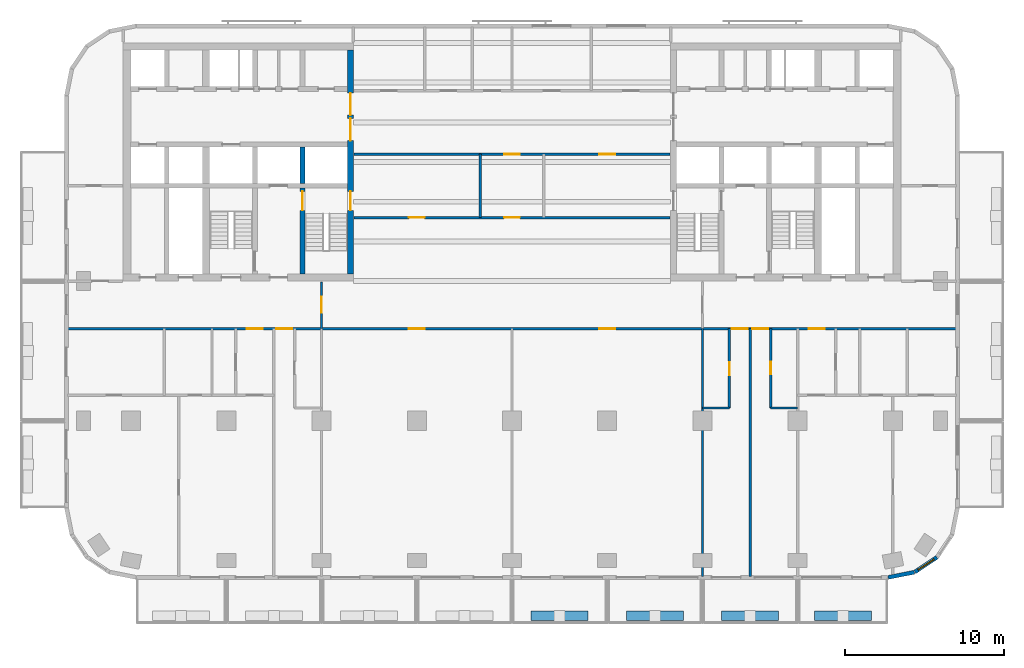
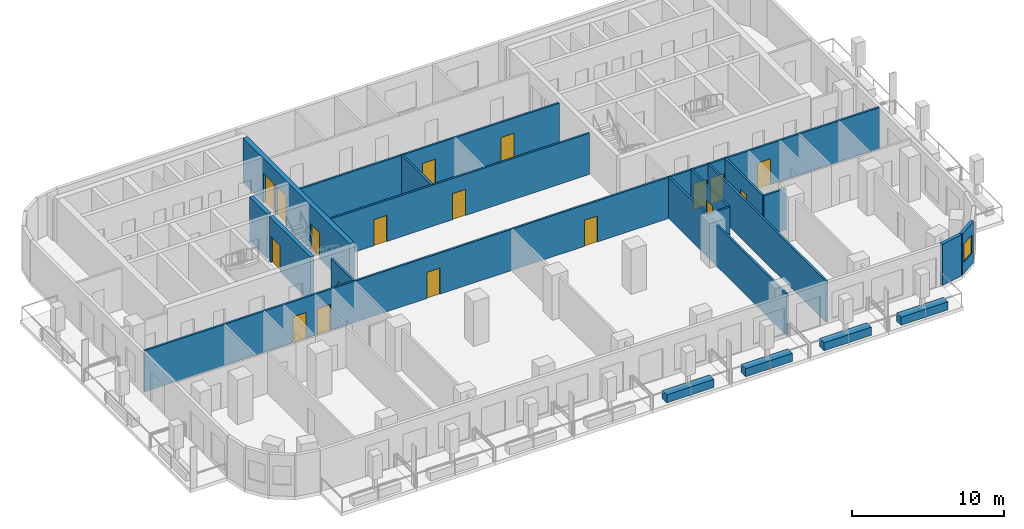
# One storey, part 4 of 11: 20 walls, 18 doors, 1 window, 19 openings.
"""IFC4 building model written with IfcOpenShell, lengths in metres."""

from ifc_helpers import new_model, si_unit, direction, frame, frame_2d, origin, place, context, subcontext, project, spatial, rectangle, extrude, material, layer, layer_set, type_object, element, fill, save


model = new_model("IFC4")

# Units and contexts
model_context = context("Model", 3, precision=1e-05, world=origin(), true_north=direction((0.0, 1.0)))
body_context = subcontext(model_context, "Body", "Model", "MODEL_VIEW")
ifc_project = project(units=[si_unit("LENGTHUNIT", "METRE"), si_unit("AREAUNIT", "SQUARE_METRE"), si_unit("VOLUMEUNIT", "CUBIC_METRE"), si_unit("PLANEANGLEUNIT", "RADIAN"), si_unit("MASSUNIT", "GRAM", prefix="KILO")], contexts=[model_context])

# Site, building, storey
site_placement = place(None, origin())
site = spatial("IfcSite", under=ifc_project, at=site_placement, CompositionType="ELEMENT")
building_placement = place(site_placement, origin())
building = spatial("IfcBuilding", under=site, at=building_placement, Name="Torana Hotel and Residences", CompositionType="ELEMENT")
storey_placement = place(building_placement, frame((0.0, 0.0, 127.199951171875)))
storey = spatial("IfcBuildingStorey", under=building, at=storey_placement, Name="L32", CompositionType="ELEMENT", Elevation=127.199951171875)

# Wall
ifc_material_1 = material(Name="Concrete C70/85", Category="concrete")
ifc_layer_1 = layer(ifc_material_1, 0.300048828125)
ifc_layer_set_1 = layer_set([ifc_layer_1], Name="CORE WALL 300 C70/85")
wall_type_1 = type_object("IfcWallType", Name="CORE WALL 300 C70/85", PredefinedType="SHEAR", material=ifc_layer_set_1)
wall_1_placement = place(storey_placement, frame((-13.199951171875, -8.85009765625, 0.0), z_axis=(0.0, 0.0, 1.0), x_axis=(0.0, 1.0, 0.0)))
element("IfcWall", 1, at=wall_1_placement, inside=storey, type_object=wall_type_1, Name="Core wall W x3.05-S", PredefinedType="SHEAR", context=body_context, shape_type="SweptSolid", body=[
    extrude(rectangle(XDim=2.300048828125, YDim=0.300048828125, at=frame_2d((1.14990234375, 0.0))), origin(), (0.0, 0.0, 1.0), 3.60009765625),
])

# Wall, opening, door
wall_2_placement = place(storey_placement, frame((-13.199951171875, -14.550048828125, 0.0), z_axis=(0.0, 0.0, 1.0), x_axis=(0.0, 1.0, 0.0)))
wall_2 = element("IfcWall", 2, at=wall_2_placement, inside=storey, type_object=wall_type_1, Name="Core wall W x3.05-band", PredefinedType="SHEAR", context=body_context, shape_type="SweptSolid", body=[
    extrude(rectangle(XDim=5.400146484375, YDim=0.300048828125, at=frame_2d((2.7001953125, 0.0))), origin(), (0.0, 0.0, 1.0), 3.60009765625),
])
opening_1_placement = place(wall_2_placement, frame((4.0, 0.0, 0.0)))
opening_1 = element("IfcOpeningElement", 3, at=opening_1_placement, cuts=wall_2, Name="Opening L32-14", PredefinedType="OPENING", context=body_context, shape_type="SweptSolid", body=[
    extrude(rectangle(XDim=1.199951171875, YDim=2.10009765625, at=frame_2d((0.60009765625, 1.050048828125))), frame((0.0, 0.159912109375, 0.0), z_axis=(0.0, -1.0, 0.0), x_axis=(1.0, 0.0, 0.0)), (0.0, 0.0, 1.0), 0.320068359375),
])
ifc_material_2 = material(Name="Steel S235", Category="steel")
door_type_1 = type_object("IfcDoorType", Name="STAIR FIRE DOOR D3 1200x2100", OperationType="SINGLE_SWING_LEFT", PredefinedType="DOOR", material=ifc_material_2)
door_1_placement = place(opening_1_placement, frame((0.60009765625, 0.0, 0.0), z_axis=(0.0, 0.0, 1.0), x_axis=(-1.0, 0.0, 0.0)))
door_1 = element("IfcDoor", 4, at=door_1_placement, inside=storey, type_object=door_type_1, Name="Stair-A-lobby door L32", OperationType="SINGLE_SWING_RIGHT", OverallHeight=2.10009765625, OverallWidth=1.199951171875, PredefinedType="DOOR", context=body_context, shape_type="SweptSolid", body=[
    extrude(rectangle(XDim=1.199951171875, YDim=2.10009765625, at=frame_2d((0.0, 1.050048828125))), frame((0.0, -0.02490234375, 0.0), z_axis=(0.0, 1.0, 0.0), x_axis=(-1.0, 0.0, 0.0)), (0.0, 0.0, 1.0), 0.050048828125),
])
fill(opening_1, door_1)

# Wall, openings, doors
ifc_material_3 = material(Name="Concrete C70/85", Category="concrete")
ifc_layer_2 = layer(ifc_material_3, 0.35009765625)
ifc_layer_set_2 = layer_set([ifc_layer_2], Name="CORE WALL 350 C70/85")
wall_type_2 = type_object("IfcWallType", Name="CORE WALL 350 C70/85", PredefinedType="SHEAR", material=ifc_layer_set_2)
wall_3_placement = place(storey_placement, frame((-10.175048828125, -14.550048828125, 0.0), z_axis=(0.0, 0.0, 1.0), x_axis=(0.0, 1.0, 0.0)))
wall_3 = element("IfcWall", 5, at=wall_3_placement, inside=storey, type_object=wall_type_2, Name="Core wall W arch", PredefinedType="SHEAR", context=body_context, shape_type="SweptSolid", body=[
    extrude(rectangle(XDim=14.10009765625, YDim=0.35009765625, at=frame_2d((7.050048828125, 0.0))), origin(), (0.0, 0.0, 1.0), 3.60009765625),
])
opening_2_placement = place(wall_3_placement, frame((8.39990234375, 0.0, 0.0)))
opening_2 = element("IfcOpeningElement", 6, at=opening_2_placement, cuts=wall_3, Name="Opening L32-01", PredefinedType="OPENING", context=body_context, shape_type="SweptSolid", body=[
    extrude(rectangle(XDim=1.39990234375, YDim=2.39990234375, at=frame_2d((0.699951171875, 1.199951171875))), frame((0.0, 0.18505859375, 0.0), z_axis=(0.0, -1.0, 0.0), x_axis=(1.0, 0.0, 0.0)), (0.0, 0.0, 1.0), 0.3701171875),
])
opening_3_placement = place(wall_3_placement, frame((10.0, 0.0, 0.0)))
opening_3 = element("IfcOpeningElement", 7, at=opening_3_placement, cuts=wall_3, Name="Opening L32-02", PredefinedType="OPENING", context=body_context, shape_type="SweptSolid", body=[
    extrude(rectangle(XDim=1.39990234375, YDim=2.39990234375, at=frame_2d((0.699951171875, 1.199951171875))), frame((0.0, 0.18505859375, 0.0), z_axis=(0.0, -1.0, 0.0), x_axis=(1.0, 0.0, 0.0)), (0.0, 0.0, 1.0), 0.3701171875),
])
opening_4_placement = place(wall_3_placement, frame((4.0, 0.0, 0.0)))
opening_4 = element("IfcOpeningElement", 8, at=opening_4_placement, cuts=wall_3, Name="Opening L32-03", PredefinedType="OPENING", context=body_context, shape_type="SweptSolid", body=[
    extrude(rectangle(XDim=1.199951171875, YDim=2.10009765625, at=frame_2d((0.60009765625, 1.050048828125))), frame((0.0, 0.18505859375, 0.0), z_axis=(0.0, -1.0, 0.0), x_axis=(1.0, 0.0, 0.0)), (0.0, 0.0, 1.0), 0.3701171875),
])
ifc_material_4 = material(Name="Steel S235", Category="steel")
door_type_2 = type_object("IfcDoorType", Name="LOBBY FIRE DOOR D4 1400x2400", OperationType="DOUBLE_DOOR_SINGLE_SWING", PredefinedType="DOOR", material=ifc_material_4)
door_2_placement = place(opening_2_placement, origin())
door_2 = element("IfcDoor", 9, at=door_2_placement, inside=storey, type_object=door_type_2, Name="Lobby-1 door L32", OperationType="DOUBLE_DOOR_SINGLE_SWING", OverallHeight=2.39990234375, OverallWidth=1.39990234375, PredefinedType="DOOR", context=body_context, shape_type="SweptSolid", body=[
    extrude(rectangle(XDim=1.39990234375, YDim=2.39990234375, at=frame_2d((0.699951171875, 1.199951171875))), frame((0.0, 0.02490234375, 0.0), z_axis=(0.0, -1.0, 0.0), x_axis=(1.0, 0.0, 0.0)), (0.0, 0.0, 1.0), 0.050048828125),
])
fill(opening_2, door_2)
door_3_placement = place(opening_3_placement, origin())
door_3 = element("IfcDoor", 10, at=door_3_placement, inside=storey, type_object=door_type_2, Name="Lobby-2 door L32", OperationType="DOUBLE_DOOR_SINGLE_SWING", OverallHeight=2.39990234375, OverallWidth=1.39990234375, PredefinedType="DOOR", context=body_context, shape_type="SweptSolid", body=[
    extrude(rectangle(XDim=1.39990234375, YDim=2.39990234375, at=frame_2d((0.699951171875, 1.199951171875))), frame((0.0, 0.02490234375, 0.0), z_axis=(0.0, -1.0, 0.0), x_axis=(1.0, 0.0, 0.0)), (0.0, 0.0, 1.0), 0.050048828125),
])
fill(opening_3, door_3)
door_4_placement = place(opening_4_placement, origin())
door_4 = element("IfcDoor", 11, at=door_4_placement, inside=storey, type_object=door_type_1, Name="Stair-A door L32", OperationType="SINGLE_SWING_LEFT", OverallHeight=2.10009765625, OverallWidth=1.199951171875, PredefinedType="DOOR", context=body_context, shape_type="SweptSolid", body=[
    extrude(rectangle(XDim=1.199951171875, YDim=2.10009765625, at=frame_2d((0.60009765625, 1.050048828125))), frame((0.0, 0.02490234375, 0.0), z_axis=(0.0, -1.0, 0.0), x_axis=(1.0, 0.0, 0.0)), (0.0, 0.0, 1.0), 0.050048828125),
])
fill(opening_4, door_4)

# Wall
ifc_material_5 = material(Name="Black aluminium composite panel", Category="aluminium")
ifc_layer_3 = layer(ifc_material_5, 0.00390625, Name="Cladding", Category="cladding")
ifc_material_6 = material(Name="Ventilated air cavity")
ifc_layer_4 = layer(ifc_material_6, 0.0400390625, Name="Ventilated cavity", Category="cavity")
ifc_material_7 = material(Name="Mineral wool insulation")
ifc_layer_5 = layer(ifc_material_7, 0.090087890625, Name="Insulation", Category="insulation")
ifc_material_8 = material(Name="Steel S280GD", Category="steel")
ifc_layer_6 = layer(ifc_material_8, 0.092041015625, Name="Steel stud frame", Category="structure")
ifc_material_9 = material(Name="Fire rated plasterboard")
ifc_layer_7 = layer(ifc_material_9, 0.011962890625, Name="Inner board", Category="finish")
ifc_layer_8 = layer(ifc_material_9, 0.011962890625, Name="Second board", Category="finish")
ifc_layer_set_3 = layer_set([ifc_layer_3, ifc_layer_4, ifc_layer_5, ifc_layer_6, ifc_layer_7, ifc_layer_8], Name="EW1 EXTERNAL WALL BLACK METAL CLAD 250")
wall_type_3 = type_object("IfcWallType", Name="EW1 EXTERNAL WALL BLACK METAL CLAD 250", PredefinedType="SOLIDWALL", material=ifc_layer_set_3)
wall_4_placement = place(storey_placement, frame((23.69970703125, -33.672607421875, 0.0), z_axis=(0.0, 0.0, 1.0), x_axis=(0.980775640221, 0.19513878023, 0.0)))
element("IfcWall", 12, at=wall_4_placement, inside=storey, type_object=wall_type_3, Name="External wall L32 e0.15", PredefinedType="SOLIDWALL", context=body_context, shape_type="SweptSolid", body=[
    extrude(rectangle(XDim=1.681396484375, YDim=0.25, at=frame_2d((0.8408203125, 0.0))), origin(), (0.0, 0.0, 1.0), 3.320068359375),
])

# Wall, opening, window
wall_5_placement = place(storey_placement, frame((25.39404296875, -33.325927734375, 0.0), z_axis=(0.0, 0.0, 1.0), x_axis=(0.831482937015, 0.55555029066, 0.0)))
wall_5 = element("IfcWall", 13, at=wall_5_placement, inside=storey, type_object=wall_type_3, Name="External wall L32 e0.16", PredefinedType="SOLIDWALL", context=body_context, shape_type="SweptSolid", body=[
    extrude(rectangle(XDim=1.65625, YDim=0.25, at=frame_2d((0.828125, 0.0))), origin(), (0.0, 0.0, 1.0), 3.320068359375),
])
opening_5_placement = place(wall_5_placement, frame((0.228271484375, 0.0, 0.89990234375)))
opening_5 = element("IfcOpeningElement", 14, at=opening_5_placement, cuts=wall_5, Name="Opening W5", PredefinedType="OPENING", context=body_context, shape_type="SweptSolid", body=[
    extrude(rectangle(XDim=1.199951171875, YDim=1.5, at=frame_2d((0.60009765625, 0.75))), frame((0.0, 0.135009765625, 0.0), z_axis=(0.0, -1.0, 0.0), x_axis=(1.0, 0.0, 0.0)), (0.0, 0.0, 1.0), 0.27001953125),
])
ifc_material_10 = material(Name="Dark glass in black aluminium frame", Category="aluminium")
window_type = type_object("IfcWindowType", Name="W5 CORNER FACET WINDOW 1200x1500", PartitioningType="SINGLE_PANEL", PredefinedType="WINDOW", material=ifc_material_10)
window_placement = place(opening_5_placement, origin())
window = element("IfcWindow", 15, at=window_placement, inside=storey, type_object=window_type, Name="Window L32 e0.16", OverallHeight=1.5, OverallWidth=1.199951171875, PartitioningType="SINGLE_PANEL", PredefinedType="WINDOW", context=body_context, shape_type="SweptSolid", body=[
    extrude(rectangle(XDim=1.199951171875, YDim=1.5, at=frame_2d((0.60009765625, 0.75))), frame((0.0, 0.030029296875, 0.0), z_axis=(0.0, -1.0, 0.0), x_axis=(1.0, 0.0, 0.0)), (0.0, 0.0, 1.0), 0.06005859375),
])
fill(opening_5, window)

# Wall
ifc_material_11 = material(Name="Gypsum plaster")
ifc_layer_9 = layer(ifc_material_11, 0.014892578125, Name="Plaster", Category="finish")
ifc_material_12 = material(Name="Concrete blockwork", Category="masonry")
ifc_layer_10 = layer(ifc_material_12, 0.1201171875, Name="Blockwork", Category="structure")
ifc_layer_11 = layer(ifc_material_11, 0.014892578125, Name="Plaster", Category="finish")
ifc_layer_set_4 = layer_set([ifc_layer_9, ifc_layer_10, ifc_layer_11], Name="FIRE PARTITION 150 BLOCKWORK")
wall_type_4 = type_object("IfcWallType", Name="FIRE PARTITION 150 BLOCKWORK", PredefinedType="PARTITIONING", material=ifc_layer_set_4)
wall_6_placement = place(storey_placement, frame((-2.0, -11.0, 0.0), z_axis=(0.0, 0.0, 1.0), x_axis=(0.0, 1.0, 0.0)))
element("IfcWall", 16, at=wall_6_placement, inside=storey, type_object=wall_type_4, Name="Partition L32", PredefinedType="PARTITIONING", context=body_context, shape_type="SweptSolid", body=[
    extrude(rectangle(XDim=4.0, YDim=0.14990234375, at=frame_2d((2.0, 0.0))), origin(), (0.0, 0.0, 1.0), 3.320068359375),
])

# Wall, opening, door
wall_7_placement = place(storey_placement, frame((-12.0, -18.0, 0.0), z_axis=(0.0, 0.0, 1.0), x_axis=(0.0, 1.0, 0.0)))
wall_7 = element("IfcWall", 17, at=wall_7_placement, inside=storey, type_object=wall_type_4, Name="Partition L32", PredefinedType="PARTITIONING", context=body_context, shape_type="SweptSolid", body=[
    extrude(rectangle(XDim=2.949951171875, YDim=0.14990234375, at=frame_2d((1.47509765625, 0.0))), origin(), (0.0, 0.0, 1.0), 3.320068359375),
])
opening_6_placement = place(wall_7_placement, frame((1.0, 0.0, 0.0)))
opening_6 = element("IfcOpeningElement", 18, at=opening_6_placement, cuts=wall_7, Name="Opening L32-31", PredefinedType="OPENING", context=body_context, shape_type="SweptSolid", body=[
    extrude(rectangle(XDim=1.0, YDim=2.10009765625, at=frame_2d((0.5, 1.050048828125))), frame((0.0, 0.0849609375, 0.0), z_axis=(0.0, -1.0, 0.0), x_axis=(1.0, 0.0, 0.0)), (0.0, 0.0, 1.0), 0.169921875),
])
ifc_material_13 = material(Name="Steel S235", Category="steel")
door_type_3 = type_object("IfcDoorType", Name="ENTRY FIRE DOOR D6 1000x2100", OperationType="SINGLE_SWING_LEFT", PredefinedType="DOOR", material=ifc_material_13)
door_5_placement = place(opening_6_placement, origin())
door_5 = element("IfcDoor", 19, at=door_5_placement, inside=storey, type_object=door_type_3, Name="Door L32", OperationType="SINGLE_SWING_RIGHT", OverallHeight=2.10009765625, OverallWidth=1.0, PredefinedType="DOOR", context=body_context, shape_type="SweptSolid", body=[
    extrude(rectangle(XDim=1.0, YDim=2.10009765625, at=frame_2d((0.5, 1.050048828125))), frame((0.0, 0.02490234375, 0.0), z_axis=(0.0, -1.0, 0.0), x_axis=(1.0, 0.0, 0.0)), (0.0, 0.0, 1.0), 0.050048828125),
])
fill(opening_6, door_5)

# Wall, openings, doors
wall_8_placement = place(storey_placement, frame((-28.02001953125, -18.0, 0.0), z_axis=(0.0, 0.0, 1.0), x_axis=(1.0, 0.0, 0.0)))
wall_8 = element("IfcWall", 20, at=wall_8_placement, inside=storey, type_object=wall_type_4, Name="Partition L32", PredefinedType="PARTITIONING", context=body_context, shape_type="SweptSolid", body=[
    extrude(rectangle(XDim=56.0400390625, YDim=0.14990234375, at=frame_2d((28.02001953125, 0.0))), origin(), (0.0, 0.0, 1.0), 3.320068359375),
])
opening_7_placement = place(wall_8_placement, frame((13.169921875, 0.0, 0.0)))
opening_7 = element("IfcOpeningElement", 21, at=opening_7_placement, cuts=wall_8, Name="Opening L32-32", PredefinedType="OPENING", context=body_context, shape_type="SweptSolid", body=[
    extrude(rectangle(XDim=1.0, YDim=2.10009765625, at=frame_2d((0.5, 1.050048828125))), frame((0.0, 0.0849609375, 0.0), z_axis=(0.0, -1.0, 0.0), x_axis=(1.0, 0.0, 0.0)), (0.0, 0.0, 1.0), 0.169921875),
])
opening_8_placement = place(wall_8_placement, frame((11.320068359375, 0.0, 0.0)))
opening_8 = element("IfcOpeningElement", 22, at=opening_8_placement, cuts=wall_8, Name="Opening L32-33", PredefinedType="OPENING", context=body_context, shape_type="SweptSolid", body=[
    extrude(rectangle(XDim=1.0, YDim=2.10009765625, at=frame_2d((0.5, 1.050048828125))), frame((0.0, 0.0849609375, 0.0), z_axis=(0.0, -1.0, 0.0), x_axis=(1.0, 0.0, 0.0)), (0.0, 0.0, 1.0), 0.169921875),
])
opening_9_placement = place(wall_8_placement, frame((41.8701171875, 0.0, 0.0)))
opening_9 = element("IfcOpeningElement", 23, at=opening_9_placement, cuts=wall_8, Name="Opening L32-36", PredefinedType="OPENING", context=body_context, shape_type="SweptSolid", body=[
    extrude(rectangle(XDim=1.0, YDim=2.10009765625, at=frame_2d((0.5, 1.050048828125))), frame((0.0, 0.0849609375, 0.0), z_axis=(0.0, -1.0, 0.0), x_axis=(1.0, 0.0, 0.0)), (0.0, 0.0, 1.0), 0.169921875),
])
opening_10_placement = place(wall_8_placement, frame((43.169921875, 0.0, 0.0)))
opening_10 = element("IfcOpeningElement", 24, at=opening_10_placement, cuts=wall_8, Name="Opening L32-37", PredefinedType="OPENING", context=body_context, shape_type="SweptSolid", body=[
    extrude(rectangle(XDim=1.0, YDim=2.10009765625, at=frame_2d((0.5, 1.050048828125))), frame((0.0, 0.0849609375, 0.0), z_axis=(0.0, -1.0, 0.0), x_axis=(1.0, 0.0, 0.0)), (0.0, 0.0, 1.0), 0.169921875),
])
opening_11_placement = place(wall_8_placement, frame((46.719970703125, 0.0, 0.0)))
opening_11 = element("IfcOpeningElement", 25, at=opening_11_placement, cuts=wall_8, Name="Opening L32-38", PredefinedType="OPENING", context=body_context, shape_type="SweptSolid", body=[
    extrude(rectangle(XDim=1.0, YDim=2.10009765625, at=frame_2d((0.5, 1.050048828125))), frame((0.0, 0.0849609375, 0.0), z_axis=(0.0, -1.0, 0.0), x_axis=(1.0, 0.0, 0.0)), (0.0, 0.0, 1.0), 0.169921875),
])
opening_12_placement = place(wall_8_placement, frame((21.52001953125, 0.0, 0.0)))
opening_12 = element("IfcOpeningElement", 26, at=opening_12_placement, cuts=wall_8, Name="Opening L32-41", PredefinedType="OPENING", context=body_context, shape_type="SweptSolid", body=[
    extrude(rectangle(XDim=1.0, YDim=2.10009765625, at=frame_2d((0.5, 1.050048828125))), frame((0.0, 0.0849609375, 0.0), z_axis=(0.0, -1.0, 0.0), x_axis=(1.0, 0.0, 0.0)), (0.0, 0.0, 1.0), 0.169921875),
])
opening_13_placement = place(wall_8_placement, frame((33.52001953125, 0.0, 0.0)))
opening_13 = element("IfcOpeningElement", 27, at=opening_13_placement, cuts=wall_8, Name="Opening L32-42", PredefinedType="OPENING", context=body_context, shape_type="SweptSolid", body=[
    extrude(rectangle(XDim=1.0, YDim=2.10009765625, at=frame_2d((0.5, 1.050048828125))), frame((0.0, 0.0849609375, 0.0), z_axis=(0.0, -1.0, 0.0), x_axis=(1.0, 0.0, 0.0)), (0.0, 0.0, 1.0), 0.169921875),
])
door_6_placement = place(opening_7_placement, frame((0.5, 0.0, 0.0), z_axis=(0.0, 0.0, 1.0), x_axis=(-1.0, 0.0, 0.0)))
door_6 = element("IfcDoor", 28, at=door_6_placement, inside=storey, type_object=door_type_3, Name="Door L32", OperationType="SINGLE_SWING_LEFT", OverallHeight=2.10009765625, OverallWidth=1.0, PredefinedType="DOOR", context=body_context, shape_type="SweptSolid", body=[
    extrude(rectangle(XDim=1.0, YDim=2.10009765625, at=frame_2d((0.0, 1.050048828125))), frame((0.0, -0.02490234375, 0.0), z_axis=(0.0, 1.0, 0.0), x_axis=(-1.0, 0.0, 0.0)), (0.0, 0.0, 1.0), 0.050048828125),
])
fill(opening_7, door_6)
door_7_placement = place(opening_8_placement, origin())
door_7 = element("IfcDoor", 29, at=door_7_placement, inside=storey, type_object=door_type_3, Name="Door L32", OperationType="SINGLE_SWING_RIGHT", OverallHeight=2.10009765625, OverallWidth=1.0, PredefinedType="DOOR", context=body_context, shape_type="SweptSolid", body=[
    extrude(rectangle(XDim=1.0, YDim=2.10009765625, at=frame_2d((0.5, 1.050048828125))), frame((0.0, 0.02490234375, 0.0), z_axis=(0.0, -1.0, 0.0), x_axis=(1.0, 0.0, 0.0)), (0.0, 0.0, 1.0), 0.050048828125),
])
fill(opening_8, door_7)
door_8_placement = place(opening_9_placement, frame((0.5, 0.0, 0.0), z_axis=(0.0, 0.0, 1.0), x_axis=(-1.0, 0.0, 0.0)))
door_8 = element("IfcDoor", 30, at=door_8_placement, inside=storey, type_object=door_type_3, Name="Door L32", OperationType="SINGLE_SWING_LEFT", OverallHeight=2.10009765625, OverallWidth=1.0, PredefinedType="DOOR", context=body_context, shape_type="SweptSolid", body=[
    extrude(rectangle(XDim=1.0, YDim=2.10009765625, at=frame_2d((0.0, 1.050048828125))), frame((0.0, -0.02490234375, 0.0), z_axis=(0.0, 1.0, 0.0), x_axis=(-1.0, 0.0, 0.0)), (0.0, 0.0, 1.0), 0.050048828125),
])
fill(opening_9, door_8)
door_9_placement = place(opening_10_placement, frame((0.5, 0.0, 0.0), z_axis=(0.0, 0.0, 1.0), x_axis=(-1.0, 0.0, 0.0)))
door_9 = element("IfcDoor", 31, at=door_9_placement, inside=storey, type_object=door_type_3, Name="Door L32", OperationType="SINGLE_SWING_LEFT", OverallHeight=2.10009765625, OverallWidth=1.0, PredefinedType="DOOR", context=body_context, shape_type="SweptSolid", body=[
    extrude(rectangle(XDim=1.0, YDim=2.10009765625, at=frame_2d((0.0, 1.050048828125))), frame((0.0, -0.02490234375, 0.0), z_axis=(0.0, 1.0, 0.0), x_axis=(-1.0, 0.0, 0.0)), (0.0, 0.0, 1.0), 0.050048828125),
])
fill(opening_10, door_9)
door_10_placement = place(opening_11_placement, origin())
door_10 = element("IfcDoor", 32, at=door_10_placement, inside=storey, type_object=door_type_3, Name="Door L32", OperationType="SINGLE_SWING_RIGHT", OverallHeight=2.10009765625, OverallWidth=1.0, PredefinedType="DOOR", context=body_context, shape_type="SweptSolid", body=[
    extrude(rectangle(XDim=1.0, YDim=2.10009765625, at=frame_2d((0.5, 1.050048828125))), frame((0.0, 0.02490234375, 0.0), z_axis=(0.0, -1.0, 0.0), x_axis=(1.0, 0.0, 0.0)), (0.0, 0.0, 1.0), 0.050048828125),
])
fill(opening_11, door_10)
door_11_placement = place(opening_12_placement, frame((0.5, 0.0, 0.0), z_axis=(0.0, 0.0, 1.0), x_axis=(-1.0, 0.0, 0.0)))
door_11 = element("IfcDoor", 33, at=door_11_placement, inside=storey, type_object=door_type_3, Name="Door L32", OperationType="SINGLE_SWING_LEFT", OverallHeight=2.10009765625, OverallWidth=1.0, PredefinedType="DOOR", context=body_context, shape_type="SweptSolid", body=[
    extrude(rectangle(XDim=1.0, YDim=2.10009765625, at=frame_2d((0.0, 1.050048828125))), frame((0.0, -0.02490234375, 0.0), z_axis=(0.0, 1.0, 0.0), x_axis=(-1.0, 0.0, 0.0)), (0.0, 0.0, 1.0), 0.050048828125),
])
fill(opening_12, door_11)
door_12_placement = place(opening_13_placement, frame((0.5, 0.0, 0.0), z_axis=(0.0, 0.0, 1.0), x_axis=(-1.0, 0.0, 0.0)))
door_12 = element("IfcDoor", 34, at=door_12_placement, inside=storey, type_object=door_type_3, Name="Door L32", OperationType="SINGLE_SWING_LEFT", OverallHeight=2.10009765625, OverallWidth=1.0, PredefinedType="DOOR", context=body_context, shape_type="SweptSolid", body=[
    extrude(rectangle(XDim=1.0, YDim=2.10009765625, at=frame_2d((0.0, 1.050048828125))), frame((0.0, -0.02490234375, 0.0), z_axis=(0.0, 1.0, 0.0), x_axis=(-1.0, 0.0, 0.0)), (0.0, 0.0, 1.0), 0.050048828125),
])
fill(opening_13, door_12)

wall_9_placement = place(storey_placement, frame((-9.949951171875, -11.0, 0.0), z_axis=(0.0, 0.0, 1.0), x_axis=(1.0, 0.0, 0.0)))
wall_9 = element("IfcWall", 35, at=wall_9_placement, inside=storey, type_object=wall_type_4, Name="Partition L32", PredefinedType="PARTITIONING", context=body_context, shape_type="SweptSolid", body=[
    extrude(rectangle(XDim=19.89990234375, YDim=0.14990234375, at=frame_2d((9.949951171875, 0.0))), origin(), (0.0, 0.0, 1.0), 3.320068359375),
])
opening_14_placement = place(wall_9_placement, frame((9.449951171875, 0.0, 0.0)))
opening_14 = element("IfcOpeningElement", 36, at=opening_14_placement, cuts=wall_9, Name="Opening L32-40", PredefinedType="OPENING", context=body_context, shape_type="SweptSolid", body=[
    extrude(rectangle(XDim=1.0, YDim=2.10009765625, at=frame_2d((0.5, 1.050048828125))), frame((0.0, 0.0849609375, 0.0), z_axis=(0.0, -1.0, 0.0), x_axis=(1.0, 0.0, 0.0)), (0.0, 0.0, 1.0), 0.169921875),
])
opening_15_placement = place(wall_9_placement, frame((3.449951171875, 0.0, 0.0)))
opening_15 = element("IfcOpeningElement", 37, at=opening_15_placement, cuts=wall_9, Name="Opening L32-43", PredefinedType="OPENING", context=body_context, shape_type="SweptSolid", body=[
    extrude(rectangle(XDim=1.0, YDim=2.10009765625, at=frame_2d((0.5, 1.050048828125))), frame((0.0, 0.0849609375, 0.0), z_axis=(0.0, -1.0, 0.0), x_axis=(1.0, 0.0, 0.0)), (0.0, 0.0, 1.0), 0.169921875),
])
door_13_placement = place(opening_14_placement, origin())
door_13 = element("IfcDoor", 38, at=door_13_placement, inside=storey, type_object=door_type_3, Name="Door L32", OperationType="SINGLE_SWING_RIGHT", OverallHeight=2.10009765625, OverallWidth=1.0, PredefinedType="DOOR", context=body_context, shape_type="SweptSolid", body=[
    extrude(rectangle(XDim=1.0, YDim=2.10009765625, at=frame_2d((0.5, 1.050048828125))), frame((0.0, 0.02490234375, 0.0), z_axis=(0.0, -1.0, 0.0), x_axis=(1.0, 0.0, 0.0)), (0.0, 0.0, 1.0), 0.050048828125),
])
fill(opening_14, door_13)
door_14_placement = place(opening_15_placement, origin())
door_14 = element("IfcDoor", 39, at=door_14_placement, inside=storey, type_object=door_type_3, Name="Door L32", OperationType="SINGLE_SWING_RIGHT", OverallHeight=2.10009765625, OverallWidth=1.0, PredefinedType="DOOR", context=body_context, shape_type="SweptSolid", body=[
    extrude(rectangle(XDim=1.0, YDim=2.10009765625, at=frame_2d((0.5, 1.050048828125))), frame((0.0, 0.02490234375, 0.0), z_axis=(0.0, -1.0, 0.0), x_axis=(1.0, 0.0, 0.0)), (0.0, 0.0, 1.0), 0.050048828125),
])
fill(opening_15, door_14)

wall_10_placement = place(storey_placement, frame((-9.949951171875, -7.0, 0.0), z_axis=(0.0, 0.0, 1.0), x_axis=(1.0, 0.0, 0.0)))
wall_10 = element("IfcWall", 40, at=wall_10_placement, inside=storey, type_object=wall_type_4, Name="Partition L32", PredefinedType="PARTITIONING", context=body_context, shape_type="SweptSolid", body=[
    extrude(rectangle(XDim=19.89990234375, YDim=0.14990234375, at=frame_2d((9.949951171875, 0.0))), origin(), (0.0, 0.0, 1.0), 3.320068359375),
])
opening_16_placement = place(wall_10_placement, frame((9.449951171875, 0.0, 0.0)))
opening_16 = element("IfcOpeningElement", 41, at=opening_16_placement, cuts=wall_10, Name="Opening L32-44", PredefinedType="OPENING", context=body_context, shape_type="SweptSolid", body=[
    extrude(rectangle(XDim=1.0, YDim=2.10009765625, at=frame_2d((0.5, 1.050048828125))), frame((0.0, 0.0849609375, 0.0), z_axis=(0.0, -1.0, 0.0), x_axis=(1.0, 0.0, 0.0)), (0.0, 0.0, 1.0), 0.169921875),
])
opening_17_placement = place(wall_10_placement, frame((15.449951171875, 0.0, 0.0)))
opening_17 = element("IfcOpeningElement", 42, at=opening_17_placement, cuts=wall_10, Name="Opening L32-45", PredefinedType="OPENING", context=body_context, shape_type="SweptSolid", body=[
    extrude(rectangle(XDim=1.0, YDim=2.10009765625, at=frame_2d((0.5, 1.050048828125))), frame((0.0, 0.0849609375, 0.0), z_axis=(0.0, -1.0, 0.0), x_axis=(1.0, 0.0, 0.0)), (0.0, 0.0, 1.0), 0.169921875),
])
door_15_placement = place(opening_16_placement, origin())
door_15 = element("IfcDoor", 43, at=door_15_placement, inside=storey, type_object=door_type_3, Name="Door L32", OperationType="SINGLE_SWING_RIGHT", OverallHeight=2.10009765625, OverallWidth=1.0, PredefinedType="DOOR", context=body_context, shape_type="SweptSolid", body=[
    extrude(rectangle(XDim=1.0, YDim=2.10009765625, at=frame_2d((0.5, 1.050048828125))), frame((0.0, 0.02490234375, 0.0), z_axis=(0.0, -1.0, 0.0), x_axis=(1.0, 0.0, 0.0)), (0.0, 0.0, 1.0), 0.050048828125),
])
fill(opening_16, door_15)
door_16_placement = place(opening_17_placement, frame((0.5, 0.0, 0.0), z_axis=(0.0, 0.0, 1.0), x_axis=(-1.0, 0.0, 0.0)))
door_16 = element("IfcDoor", 44, at=door_16_placement, inside=storey, type_object=door_type_3, Name="Door L32", OperationType="SINGLE_SWING_LEFT", OverallHeight=2.10009765625, OverallWidth=1.0, PredefinedType="DOOR", context=body_context, shape_type="SweptSolid", body=[
    extrude(rectangle(XDim=1.0, YDim=2.10009765625, at=frame_2d((0.0, 1.050048828125))), frame((0.0, -0.02490234375, 0.0), z_axis=(0.0, 1.0, 0.0), x_axis=(-1.0, 0.0, 0.0)), (0.0, 0.0, 1.0), 0.050048828125),
])
fill(opening_17, door_16)

# Wall, opening, door
ifc_material_14 = material(Name="Gypsum plasterboard")
ifc_layer_12 = layer(ifc_material_14, 0.012451171875, Name="Plasterboard", Category="finish")
ifc_layer_13 = layer(ifc_material_14, 0.012451171875, Name="Plasterboard", Category="finish")
ifc_layer_14 = layer(ifc_material_8, 0.10009765625, Name="Steel studs with mineral wool", Category="insulation")
ifc_layer_15 = layer(ifc_material_14, 0.012451171875, Name="Plasterboard", Category="finish")
ifc_layer_16 = layer(ifc_material_14, 0.012451171875, Name="Plasterboard", Category="finish")
ifc_layer_set_5 = layer_set([ifc_layer_12, ifc_layer_13, ifc_layer_14, ifc_layer_15, ifc_layer_16], Name="PARTITION 150 PLASTERBOARD")
wall_type_5 = type_object("IfcWallType", Name="PARTITION 150 PLASTERBOARD", PredefinedType="PARTITIONING", material=ifc_layer_set_5)
wall_11_placement = place(storey_placement, frame((16.300048828125, -23.0, 0.0), z_axis=(0.0, 0.0, 1.0), x_axis=(0.0, 1.0, 0.0)))
wall_11 = element("IfcWall", 45, at=wall_11_placement, inside=storey, type_object=wall_type_5, Name="Partition L32", PredefinedType="PARTITIONING", context=body_context, shape_type="SweptSolid", body=[
    extrude(rectangle(XDim=5.0, YDim=0.14990234375, at=frame_2d((2.5, 0.0))), origin(), (0.0, 0.0, 1.0), 3.320068359375),
])
opening_18_placement = place(wall_11_placement, frame((2.1201171875, 0.0, 0.0)))
opening_18 = element("IfcOpeningElement", 46, at=opening_18_placement, cuts=wall_11, Name="Opening L32-53", PredefinedType="OPENING", context=body_context, shape_type="SweptSolid", body=[
    extrude(rectangle(XDim=0.800048828125, YDim=2.10009765625, at=frame_2d((0.39990234375, 1.050048828125))), frame((0.0, 0.0849609375, 0.0), z_axis=(0.0, -1.0, 0.0), x_axis=(1.0, 0.0, 0.0)), (0.0, 0.0, 1.0), 0.169921875),
])
ifc_material_15 = material(Name="Timber door, painted", Category="wood")
door_type_4 = type_object("IfcDoorType", Name="BATH DOOR D13 800x2100", OperationType="SINGLE_SWING_LEFT", PredefinedType="DOOR", material=ifc_material_15)
door_17_placement = place(opening_18_placement, origin())
door_17 = element("IfcDoor", 47, at=door_17_placement, inside=storey, type_object=door_type_4, Name="Door L32", OperationType="SINGLE_SWING_RIGHT", OverallHeight=2.10009765625, OverallWidth=0.800048828125, PredefinedType="DOOR", context=body_context, shape_type="SweptSolid", body=[
    extrude(rectangle(XDim=0.800048828125, YDim=2.10009765625, at=frame_2d((0.39990234375, 1.050048828125))), frame((0.0, 0.02490234375, 0.0), z_axis=(0.0, -1.0, 0.0), x_axis=(1.0, 0.0, 0.0)), (0.0, 0.0, 1.0), 0.050048828125),
])
fill(opening_18, door_17)

# Wall
wall_12_placement = place(storey_placement, frame((15.0, -33.6201171875, 0.0), z_axis=(0.0, 0.0, 1.0), x_axis=(0.0, 1.0, 0.0)))
element("IfcWall", 48, at=wall_12_placement, inside=storey, type_object=wall_type_5, Name="Partition L32", PredefinedType="PARTITIONING", context=body_context, shape_type="SweptSolid", body=[
    extrude(rectangle(XDim=15.6201171875, YDim=0.14990234375, at=frame_2d((7.81005859375, 0.0))), origin(), (0.0, 0.0, 1.0), 3.320068359375),
])

# Wall, opening, door
wall_13_placement = place(storey_placement, frame((13.699951171875, -23.0, 0.0), z_axis=(0.0, 0.0, 1.0), x_axis=(0.0, 1.0, 0.0)))
wall_13 = element("IfcWall", 49, at=wall_13_placement, inside=storey, type_object=wall_type_5, Name="Partition L32", PredefinedType="PARTITIONING", context=body_context, shape_type="SweptSolid", body=[
    extrude(rectangle(XDim=5.0, YDim=0.14990234375, at=frame_2d((2.5, 0.0))), origin(), (0.0, 0.0, 1.0), 3.320068359375),
])
opening_19_placement = place(wall_13_placement, frame((2.080078125, 0.0, 0.0)))
opening_19 = element("IfcOpeningElement", 50, at=opening_19_placement, cuts=wall_13, Name="Opening L32-52", PredefinedType="OPENING", context=body_context, shape_type="SweptSolid", body=[
    extrude(rectangle(XDim=0.800048828125, YDim=2.10009765625, at=frame_2d((0.39990234375, 1.050048828125))), frame((0.0, 0.0849609375, 0.0), z_axis=(0.0, -1.0, 0.0), x_axis=(1.0, 0.0, 0.0)), (0.0, 0.0, 1.0), 0.169921875),
])
door_18_placement = place(opening_19_placement, origin())
door_18 = element("IfcDoor", 51, at=door_18_placement, inside=storey, type_object=door_type_4, Name="Door L32", OperationType="SINGLE_SWING_RIGHT", OverallHeight=2.10009765625, OverallWidth=0.800048828125, PredefinedType="DOOR", context=body_context, shape_type="SweptSolid", body=[
    extrude(rectangle(XDim=0.800048828125, YDim=2.10009765625, at=frame_2d((0.39990234375, 1.050048828125))), frame((0.0, 0.02490234375, 0.0), z_axis=(0.0, -1.0, 0.0), x_axis=(1.0, 0.0, 0.0)), (0.0, 0.0, 1.0), 0.050048828125),
])
fill(opening_19, door_18)

# Walls
wall_14_placement = place(storey_placement, frame((12.0, -33.6201171875, 0.0), z_axis=(0.0, 0.0, 1.0), x_axis=(0.0, 1.0, 0.0)))
element("IfcWall", 52, at=wall_14_placement, inside=storey, type_object=wall_type_5, Name="Partition L32", PredefinedType="PARTITIONING", context=body_context, shape_type="SweptSolid", body=[
    extrude(rectangle(XDim=15.6201171875, YDim=0.14990234375, at=frame_2d((7.81005859375, 0.0))), origin(), (0.0, 0.0, 1.0), 3.320068359375),
])
for number, where, z_axis, x_axis, name in (
    (53, (12.0, -23.0, 0.0), (0.0, 0.0, 1.0), (1.0, 0.0, 0.0), "Partition L32"),
    (54, (16.300048828125, -23.0, 0.0), (0.0, 0.0, 1.0), (1.0, 0.0, 0.0), "Partition L32"),
):
    element("IfcWall", number, at=place(storey_placement, frame(where, z_axis=z_axis, x_axis=x_axis)), inside=storey, type_object=wall_type_5, Name=name, PredefinedType="PARTITIONING", context=body_context, shape_type="SweptSolid", body=[
        extrude(rectangle(XDim=1.699951171875, YDim=0.14990234375, at=frame_2d((0.85009765625, 0.0))), origin(), (0.0, 0.0, 1.0), 3.320068359375),
    ])
ifc_material_16 = material(Name="Concrete C40/50 precast", Category="concrete")
ifc_layer_17 = layer(ifc_material_16, 0.10009765625, Name="Planter shell", Category="structure")
ifc_material_17 = material(Name="Root resistant membrane")
ifc_layer_18 = layer(ifc_material_17, 0.00390625, Name="Waterproofing membrane", Category="membrane")
ifc_material_18 = material(Name="Drainage board with filter fleece")
ifc_layer_19 = layer(ifc_material_18, 0.02001953125, Name="Drainage board", Category="drainage")
ifc_material_19 = material(Name="Growing medium")
ifc_layer_20 = layer(ifc_material_19, 0.47607421875, Name="Planting substrate", Category="soil")
ifc_layer_set_6 = layer_set([ifc_layer_17, ifc_layer_18, ifc_layer_19, ifc_layer_20], Name="PL1 BALCONY PLANTER 600")
wall_type_6 = type_object("IfcWallType", Name="PL1 BALCONY PLANTER 600", PredefinedType="USERDEFINED", material=ifc_layer_set_6)
for number, where, z_axis, x_axis, name in (
    (55, (4.800048828125, -36.10009765625, 0.0), (0.0, 0.0, 1.0), (-1.0, 0.0, 0.0), "Planter 05"),
    (56, (10.800048828125, -36.10009765625, 0.0), (0.0, 0.0, 1.0), (-1.0, 0.0, 0.0), "Planter 06"),
    (57, (16.800048828125, -36.10009765625, 0.0), (0.0, 0.0, 1.0), (-1.0, 0.0, 0.0), "Planter 07"),
):
    element("IfcWall", number, at=place(storey_placement, frame(where, z_axis=z_axis, x_axis=x_axis)), inside=storey, type_object=wall_type_6, Name=name, ObjectType="PLANTER", PredefinedType="USERDEFINED", context=body_context, shape_type="SweptSolid", body=[
        extrude(rectangle(XDim=3.60009765625, YDim=0.60009765625, at=frame_2d((1.800048828125, 0.0))), origin(), (0.0, 0.0, 1.0), 0.650146484375),
    ])
wall_15_placement = place(storey_placement, frame((22.64990234375, -36.10009765625, 0.0), z_axis=(0.0, 0.0, 1.0), x_axis=(-1.0, 0.0, 0.0)))
element("IfcWall", 58, at=wall_15_placement, inside=storey, type_object=wall_type_6, Name="Planter 08", ObjectType="PLANTER", PredefinedType="USERDEFINED", context=body_context, shape_type="SweptSolid", body=[
    extrude(rectangle(XDim=3.599853515625, YDim=0.60009765625, at=frame_2d((1.7998046875, 0.0))), origin(), (0.0, 0.0, 1.0), 0.650146484375),
])

save(model, "model.ifc")
